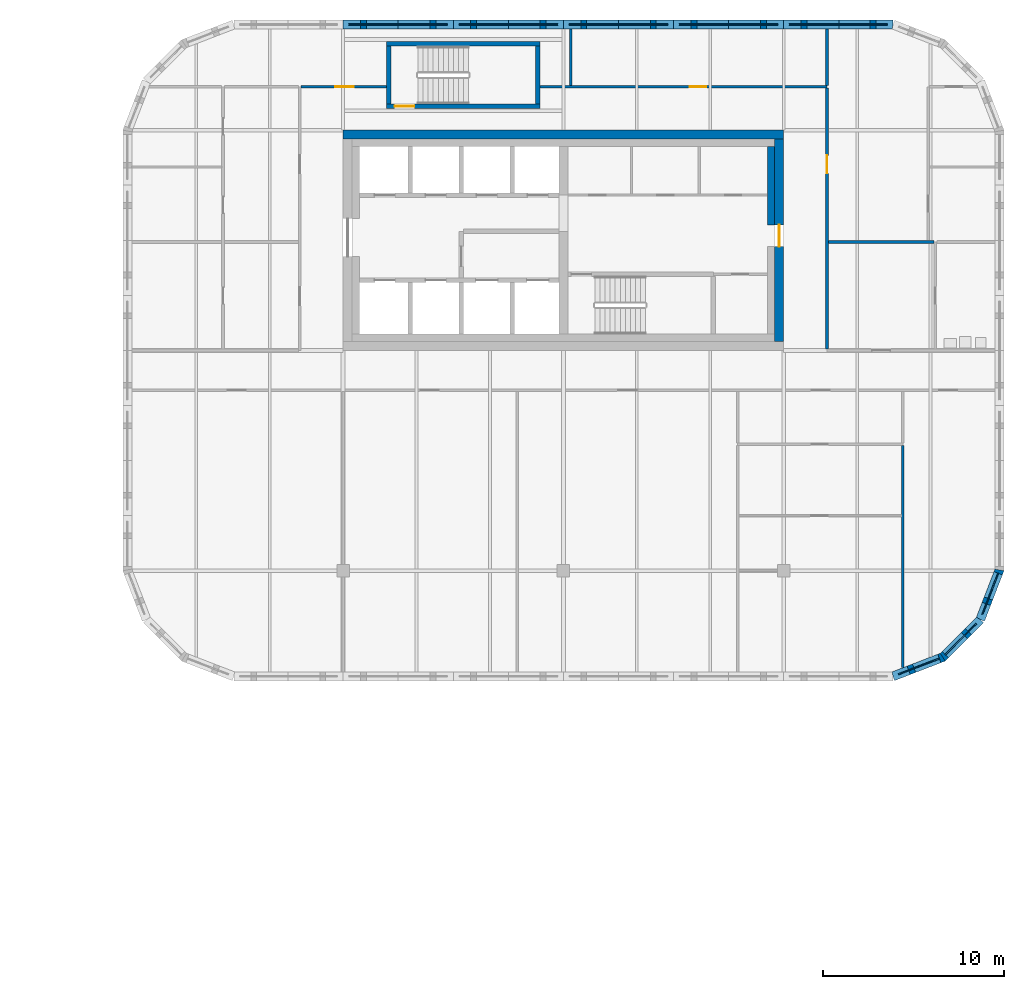
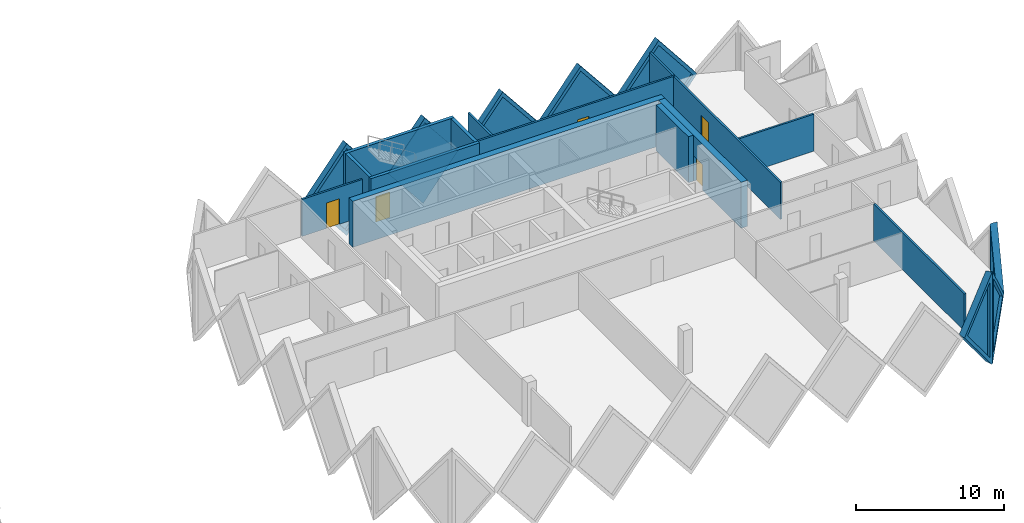
# One storey, part 14 of 19: 22 walls, 8 plates, 5 doors, 13 openings.
"""IFC4 building model written with IfcOpenShell, lengths in metres."""

from ifc_helpers import new_model, si_unit, direction, frame, frame_2d, origin, place, context, subcontext, project, spatial, polyline, rectangle, outline, extrude, faceted_brep, source, transform, mapped, material, layer, layer_set, type_object, element, fill, save


model = new_model("IFC4")

# Units and contexts
model_context = context("Model", 3, precision=1e-05, world=origin(), true_north=direction((0.0, 1.0)))
body_context = subcontext(model_context, "Body", "Model", "MODEL_VIEW")
ifc_project = project(units=[si_unit("LENGTHUNIT", "METRE"), si_unit("AREAUNIT", "SQUARE_METRE"), si_unit("VOLUMEUNIT", "CUBIC_METRE"), si_unit("PLANEANGLEUNIT", "RADIAN"), si_unit("MASSUNIT", "GRAM", prefix="KILO")], contexts=[model_context])

# Site, building, storey
site_placement = place(None, origin())
site = spatial("IfcSite", under=ifc_project, at=site_placement, CompositionType="ELEMENT")
building_placement = place(site_placement, origin())
building = spatial("IfcBuilding", under=site, at=building_placement, Name="Tessera Gate Towers", CompositionType="ELEMENT")
storey_placement = place(building_placement, frame((0.0, 0.0, 80.0)))
storey = spatial("IfcBuildingStorey", under=building, at=storey_placement, Name="L19", CompositionType="ELEMENT", Elevation=80.0)

# Wall, opening, door
ifc_material_1 = material(Name="Concrete C40/50", Category="concrete")
ifc_layer_1 = layer(ifc_material_1, 0.25)
ifc_layer_set_1 = layer_set([ifc_layer_1], Name="CORE ENCLOSURE WALL 250")
wall_type_1 = type_object("IfcWallType", Name="CORE ENCLOSURE WALL 250", PredefinedType="SOLIDWALL", material=ifc_layer_set_1)
wall_1_placement = place(storey_placement, frame((108.5, 50.125, 0.0), z_axis=(0.0, 0.0, 1.0), x_axis=(-1.0, 0.0, 0.0)))
wall_1 = element("IfcWall", 1, at=wall_1_placement, inside=storey, type_object=wall_type_1, Name="L19 ST7 enclosure wall", PredefinedType="SOLIDWALL", context=body_context, shape_type="SweptSolid", body=[
    extrude(rectangle(XDim=8.5, YDim=0.25, at=frame_2d((4.25, 0.0))), origin(), (0.0, 0.0, 1.0), 3.800048828125),
])
shared_shape_1 = source(origin(), body_context, "Body", "SweptSolid", [
    extrude(rectangle(XDim=1.10009765625, YDim=2.10009765625, at=frame_2d((0.550048828125, 1.050048828125))), frame((0.0, 0.135009765625, 0.0), z_axis=(0.0, -1.0, 0.0), x_axis=(1.0, 0.0, 0.0)), (0.0, 0.0, 1.0), 0.27001953125),
])
opening_1_placement = place(wall_1_placement, frame((6.949951171875, 0.0, 0.0)))
opening_1 = element("IfcOpeningElement", 2, at=opening_1_placement, cuts=wall_1, Name="Opening SD-ST7-1", PredefinedType="OPENING", context=body_context, shape_type="MappedRepresentation", body=[
    mapped(shared_shape_1, transform((0.0, 0.0, 0.0), scale=1.0)),
])
ifc_material_2 = material(Name="Hollow steel fire door", Category="steel")
door_type_1 = type_object("IfcDoorType", Name="CORE DOOR SD1100 1100x2100", OperationType="NOTDEFINED", PredefinedType="DOOR", material=ifc_material_2)
shared_shape_2 = source(origin(), body_context, "Body", "SweptSolid", [
    extrude(rectangle(XDim=1.10009765625, YDim=2.10009765625, at=frame_2d((0.550048828125, 1.050048828125))), frame((0.0, 0.02490234375, 0.0), z_axis=(0.0, -1.0, 0.0), x_axis=(1.0, 0.0, 0.0)), (0.0, 0.0, 1.0), 0.050048828125),
])
door_1_placement = place(opening_1_placement, origin())
door_1 = element("IfcDoor", 3, at=door_1_placement, inside=storey, type_object=door_type_1, Name="Stair door", OperationType="SINGLE_SWING_RIGHT", OverallHeight=2.10009765625, OverallWidth=1.10009765625, PredefinedType="DOOR", context=body_context, shape_type="MappedRepresentation", body=[
    mapped(shared_shape_2, transform((0.0, 0.0, 0.0), scale=1.0)),
])
fill(opening_1, door_1)

# Walls
wall_2_placement = place(storey_placement, frame((100.125, 50.25, 0.0), z_axis=(0.0, 0.0, 1.0), x_axis=(0.0, 1.0, 0.0)))
element("IfcWall", 4, at=wall_2_placement, inside=storey, type_object=wall_type_1, Name="L19 ST7 enclosure wall", PredefinedType="SOLIDWALL", context=body_context, shape_type="SweptSolid", body=[
    extrude(rectangle(XDim=3.199951171875, YDim=0.25, at=frame_2d((1.60009765625, 0.0))), origin(), (0.0, 0.0, 1.0), 3.800048828125),
])
wall_3_placement = place(storey_placement, frame((100.0, 53.574951171875, 0.0), z_axis=(0.0, 0.0, 1.0), x_axis=(1.0, 0.0, 0.0)))
element("IfcWall", 5, at=wall_3_placement, inside=storey, type_object=wall_type_1, Name="L19 ST7 enclosure wall", PredefinedType="SOLIDWALL", context=body_context, shape_type="SweptSolid", body=[
    extrude(rectangle(XDim=8.5, YDim=0.25, at=frame_2d((4.25, 0.0))), origin(), (0.0, 0.0, 1.0), 3.800048828125),
])
wall_4_placement = place(storey_placement, frame((108.375, 53.449951171875, 0.0), z_axis=(0.0, 0.0, 1.0), x_axis=(0.0, -1.0, 0.0)))
element("IfcWall", 6, at=wall_4_placement, inside=storey, type_object=wall_type_1, Name="L19 ST7 enclosure wall", PredefinedType="SOLIDWALL", context=body_context, shape_type="SweptSolid", body=[
    extrude(rectangle(XDim=3.199951171875, YDim=0.25, at=frame_2d((1.60009765625, 0.0))), origin(), (0.0, 0.0, 1.0), 3.800048828125),
])
ifc_material_3 = material(Name="Concrete C50/60", Category="concrete")
ifc_layer_2 = layer(ifc_material_3, 0.5)
ifc_layer_set_2 = layer_set([ifc_layer_2], Name="CORE SHEAR WALL 500 C50/60")
wall_type_2 = type_object("IfcWallType", Name="CORE SHEAR WALL 500 C50/60", PredefinedType="SHEAR", material=ifc_layer_set_2)
wall_5_placement = place(storey_placement, frame((97.60009765625, 48.550048828125, 0.0), z_axis=(0.0, 0.0, 1.0), x_axis=(1.0, 0.0, 0.0)))
element("IfcWall", 7, at=wall_5_placement, inside=storey, type_object=wall_type_2, Name="Core wall N L19", PredefinedType="SHEAR", context=body_context, shape_type="SweptSolid", body=[
    extrude(rectangle(XDim=24.39990234375, YDim=0.5, at=frame_2d((12.199951171875, 0.0))), origin(), (0.0, 0.0, 1.0), 3.800048828125),
])

# Wall, opening, door
wall_6_placement = place(storey_placement, frame((121.75, 48.300048828125, 0.0), z_axis=(0.0, 0.0, 1.0), x_axis=(0.0, -1.0, 0.0)))
wall_6 = element("IfcWall", 8, at=wall_6_placement, inside=storey, type_object=wall_type_2, Name="Core wall E L19", PredefinedType="SHEAR", context=body_context, shape_type="SweptSolid", body=[
    extrude(rectangle(XDim=11.199951171875, YDim=0.5, at=frame_2d((5.60009765625, 0.0))), origin(), (0.0, 0.0, 1.0), 3.800048828125),
])
shared_shape_3 = source(origin(), body_context, "Body", "SweptSolid", [
    extrude(rectangle(XDim=1.199951171875, YDim=2.10009765625, at=frame_2d((0.60009765625, 1.050048828125))), frame((0.0, 0.260009765625, 0.0), z_axis=(0.0, -1.0, 0.0), x_axis=(1.0, 0.0, 0.0)), (0.0, 0.0, 1.0), 0.52001953125),
])
opening_2_placement = place(wall_6_placement, frame((4.75, 0.0, 0.0)))
opening_2 = element("IfcOpeningElement", 9, at=opening_2_placement, cuts=wall_6, Name="Opening ED-T2-11-02", PredefinedType="OPENING", context=body_context, shape_type="MappedRepresentation", body=[
    mapped(shared_shape_3, transform((0.0, 0.0, 0.0), scale=1.0)),
])
ifc_material_4 = material(Name="Hollow steel fire door", Category="steel")
door_type_2 = type_object("IfcDoorType", Name="CORE DOOR ED 1200x2100", OperationType="NOTDEFINED", PredefinedType="DOOR", material=ifc_material_4)
shared_shape_4 = source(origin(), body_context, "Body", "SweptSolid", [
    extrude(rectangle(XDim=1.199951171875, YDim=2.10009765625, at=frame_2d((0.60009765625, 1.050048828125))), frame((0.0, 0.02490234375, 0.0), z_axis=(0.0, -1.0, 0.0), x_axis=(1.0, 0.0, 0.0)), (0.0, 0.0, 1.0), 0.050048828125),
])
door_2_placement = place(opening_2_placement, origin())
door_2 = element("IfcDoor", 10, at=door_2_placement, inside=storey, type_object=door_type_2, Name="Core exit door", OperationType="SINGLE_SWING_LEFT", OverallHeight=2.10009765625, OverallWidth=1.199951171875, PredefinedType="DOOR", context=body_context, shape_type="MappedRepresentation", body=[
    mapped(shared_shape_4, transform((0.0, 0.0, 0.0), scale=1.0)),
])
fill(opening_2, door_2)

# Wall
ifc_material_5 = material(Name="Concrete C50/60", Category="concrete")
ifc_layer_3 = layer(ifc_material_5, 0.39990234375)
ifc_layer_set_3 = layer_set([ifc_layer_3], Name="CORE WALL THICKENING 400")
wall_type_3 = type_object("IfcWallType", Name="CORE WALL THICKENING 400", PredefinedType="SOLIDWALL", material=ifc_layer_set_3)
wall_7_placement = place(storey_placement, frame((121.300048828125, 43.550048828125, 0.0), z_axis=(0.0, 0.0, 1.0), x_axis=(0.0, 1.0, 0.0)))
element("IfcWall", 11, at=wall_7_placement, inside=storey, type_object=wall_type_3, Name="Core wall thickening E L19", PredefinedType="SOLIDWALL", context=body_context, shape_type="SweptSolid", body=[
    extrude(rectangle(XDim=4.349853515625, YDim=0.39990234375, at=frame_2d((2.1748046875, 0.0))), origin(), (0.0, 0.0, 1.0), 3.800048828125),
])

# Wall, opening, door
ifc_material_6 = material(Name="Gypsum board on steel studs, mineral wool", Category="steel")
ifc_layer_4 = layer(ifc_material_6, 0.14990234375)
ifc_layer_set_4 = layer_set([ifc_layer_4], Name="CORRIDOR WALL 150")
wall_type_4 = type_object("IfcWallType", Name="CORRIDOR WALL 150", PredefinedType="PARTITIONING", material=ifc_layer_set_4)
wall_8_placement = place(storey_placement, frame((124.39990234375, 51.1240234375, 0.0), z_axis=(0.0, 0.0, 1.0), x_axis=(0.0, -1.0, 0.0)))
wall_8 = element("IfcWall", 12, at=wall_8_placement, inside=storey, type_object=wall_type_4, Name="T2-L19-PW-016", PredefinedType="PARTITIONING", context=body_context, shape_type="SweptSolid", body=[
    extrude(rectangle(XDim=14.447998046875, YDim=0.14990234375, at=frame_2d((7.22412109375, 0.0))), origin(), (0.0, 0.0, 1.0), 3.06689453125),
])
shared_shape_5 = source(origin(), body_context, "Body", "SweptSolid", [
    extrude(rectangle(XDim=1.0, YDim=2.10009765625, at=frame_2d((0.5, 1.050048828125))), frame((0.0, 0.0849609375, 0.0), z_axis=(0.0, -1.0, 0.0), x_axis=(1.0, 0.0, 0.0)), (0.0, 0.0, 1.0), 0.169921875),
])
opening_3_placement = place(wall_8_placement, frame((3.72412109375, 0.0, 0.0)))
opening_3 = element("IfcOpeningElement", 13, at=opening_3_placement, cuts=wall_8, Name="Opening D2100FD60-B08-03", PredefinedType="OPENING", context=body_context, shape_type="MappedRepresentation", body=[
    mapped(shared_shape_5, transform((0.0, 0.0, 0.0), scale=1.0)),
])
ifc_material_7 = material(Name="Timber door leaf in steel frame", Category="steel")
door_type_3 = type_object("IfcDoorType", Name="TENANCY ENTRANCE DOOR 1000 FD60", OperationType="NOTDEFINED", PredefinedType="DOOR", material=ifc_material_7)
shared_shape_6 = source(origin(), body_context, "Body", "SweptSolid", [
    extrude(rectangle(XDim=1.0, YDim=2.10009765625, at=frame_2d((0.5, 1.050048828125))), frame((0.0, 0.02490234375, 0.0), z_axis=(0.0, -1.0, 0.0), x_axis=(1.0, 0.0, 0.0)), (0.0, 0.0, 1.0), 0.050048828125),
])
door_3_placement = place(opening_3_placement, origin())
door_3 = element("IfcDoor", 14, at=door_3_placement, inside=storey, type_object=door_type_3, Name="T2-L19-PD-009", OperationType="SINGLE_SWING_RIGHT", OverallHeight=2.10009765625, OverallWidth=1.0, PredefinedType="DOOR", context=body_context, shape_type="MappedRepresentation", body=[
    mapped(shared_shape_6, transform((0.0, 0.0, 0.0), scale=1.0)),
])
fill(opening_3, door_3)

wall_9_placement = place(storey_placement, frame((95.27587890625, 51.199951171875, 0.0), z_axis=(0.0, 0.0, 1.0), x_axis=(1.0, 0.0, 0.0)))
wall_9 = element("IfcWall", 15, at=wall_9_placement, inside=storey, type_object=wall_type_4, Name="T2-L19-PW-027", PredefinedType="PARTITIONING", context=body_context, shape_type="SweptSolid", body=[
    extrude(rectangle(XDim=4.72412109375, YDim=0.14990234375, at=frame_2d((2.362060546875, 0.0))), origin(), (0.0, 0.0, 1.0), 3.06689453125),
])
opening_4_placement = place(wall_9_placement, frame((1.89990234375, 0.0, 0.0)))
opening_4 = element("IfcOpeningElement", 16, at=opening_4_placement, cuts=wall_9, Name="Opening D2100FD60-B08-02", PredefinedType="OPENING", context=body_context, shape_type="MappedRepresentation", body=[
    mapped(shared_shape_5, transform((0.0, 0.0, 0.0), scale=1.0)),
])
door_4_placement = place(opening_4_placement, origin())
door_4 = element("IfcDoor", 17, at=door_4_placement, inside=storey, type_object=door_type_3, Name="T2-L19-PD-007", OperationType="SINGLE_SWING_LEFT", OverallHeight=2.10009765625, OverallWidth=1.0, PredefinedType="DOOR", context=body_context, shape_type="MappedRepresentation", body=[
    mapped(shared_shape_6, transform((0.0, 0.0, 0.0), scale=1.0)),
])
fill(opening_4, door_4)

wall_10_placement = place(storey_placement, frame((108.5, 51.199951171875, 0.0), z_axis=(0.0, 0.0, 1.0), x_axis=(1.0, 0.0, 0.0)))
wall_10 = element("IfcWall", 18, at=wall_10_placement, inside=storey, type_object=wall_type_4, Name="T2-L19-PW-028", PredefinedType="PARTITIONING", context=body_context, shape_type="SweptSolid", body=[
    extrude(rectangle(XDim=15.89990234375, YDim=0.14990234375, at=frame_2d((7.949951171875, 0.0))), origin(), (0.0, 0.0, 1.0), 3.06689453125),
])
shared_shape_7 = source(origin(), body_context, "Body", "SweptSolid", [
    extrude(rectangle(XDim=0.89990234375, YDim=2.10009765625, at=frame_2d((0.449951171875, 1.050048828125))), frame((0.0, 0.0849609375, 0.0), z_axis=(0.0, -1.0, 0.0), x_axis=(1.0, 0.0, 0.0)), (0.0, 0.0, 1.0), 0.169921875),
])
opening_5_placement = place(wall_10_placement, frame((8.300048828125, 0.0, 0.0)))
opening_5 = element("IfcOpeningElement", 19, at=opening_5_placement, cuts=wall_10, Name="Opening D890FD60-B08-01", PredefinedType="OPENING", context=body_context, shape_type="MappedRepresentation", body=[
    mapped(shared_shape_7, transform((0.0, 0.0, 0.0), scale=1.0)),
])
ifc_material_8 = material(Name="Timber door leaf in steel frame", Category="steel")
door_type_4 = type_object("IfcDoorType", Name="CORRIDOR DOOR 900 FD60", OperationType="NOTDEFINED", PredefinedType="DOOR", material=ifc_material_8)
shared_shape_8 = source(origin(), body_context, "Body", "SweptSolid", [
    extrude(rectangle(XDim=0.89990234375, YDim=2.10009765625, at=frame_2d((0.449951171875, 1.050048828125))), frame((0.0, 0.02490234375, 0.0), z_axis=(0.0, -1.0, 0.0), x_axis=(1.0, 0.0, 0.0)), (0.0, 0.0, 1.0), 0.050048828125),
])
door_5_placement = place(opening_5_placement, origin())
door_5 = element("IfcDoor", 20, at=door_5_placement, inside=storey, type_object=door_type_4, Name="T2-L19-PD-019", OperationType="SINGLE_SWING_LEFT", OverallHeight=2.10009765625, OverallWidth=0.89990234375, PredefinedType="DOOR", context=body_context, shape_type="MappedRepresentation", body=[
    mapped(shared_shape_8, transform((0.0, 0.0, 0.0), scale=1.0)),
])
fill(opening_5, door_5)

# Walls
ifc_material_9 = material(Name="Gypsum board on steel studs, mineral wool", Category="steel")
ifc_layer_5 = layer(ifc_material_9, 0.14990234375)
ifc_layer_set_5 = layer_set([ifc_layer_5], Name="TENANCY WALL 150")
wall_type_5 = type_object("IfcWallType", Name="TENANCY WALL 150", PredefinedType="PARTITIONING", material=ifc_layer_set_5)
wall_11_placement = place(storey_placement, frame((128.60009765625, 19.02880859375, 0.0), z_axis=(0.0, 0.0, 1.0), x_axis=(0.0, 1.0, 0.0)))
element("IfcWall", 21, at=wall_11_placement, inside=storey, type_object=wall_type_5, Name="T2-L19-PW-004", PredefinedType="PARTITIONING", context=body_context, shape_type="SweptSolid", body=[
    extrude(rectangle(XDim=12.295166015625, YDim=0.14990234375, at=frame_2d((6.1474609375, 0.0))), origin(), (0.0, 0.0, 1.0), 3.06689453125),
])
wall_12_placement = place(storey_placement, frame((124.47607421875, 42.60009765625, 0.0), z_axis=(0.0, 0.0, 1.0), x_axis=(1.0, 0.0, 0.0)))
element("IfcWall", 22, at=wall_12_placement, inside=storey, type_object=wall_type_5, Name="T2-L19-PW-020", PredefinedType="PARTITIONING", context=body_context, shape_type="SweptSolid", body=[
    extrude(rectangle(XDim=5.847900390625, YDim=0.14990234375, at=frame_2d((2.923828125, 0.0))), origin(), (0.0, 0.0, 1.0), 3.06689453125),
])
for number, where, z_axis, x_axis, name in (
    (23, (110.199951171875, 51.27587890625, 0.0), (0.0, 0.0, 1.0), (0.0, 1.0, 0.0), "T2-L19-PW-030"),
    (24, (124.39990234375, 51.27587890625, 0.0), (0.0, 0.0, 1.0), (0.0, 1.0, 0.0), "T2-L19-PW-031"),
):
    element("IfcWall", number, at=place(storey_placement, frame(where, z_axis=z_axis, x_axis=x_axis)), inside=storey, type_object=wall_type_5, Name=name, PredefinedType="PARTITIONING", context=body_context, shape_type="SweptSolid", body=[
        extrude(rectangle(XDim=3.1240234375, YDim=0.14990234375, at=frame_2d((1.56201171875, 0.0))), origin(), (0.0, 0.0, 1.0), 3.06689453125),
    ])

# Wall, opening, plate
ifc_material_10 = material(Name="Precast concrete C60/75 white", Category="concrete")
ifc_layer_6 = layer(ifc_material_10, 0.5)
ifc_layer_set_6 = layer_set([ifc_layer_6], Name="TS1 tessera")
wall_type_6 = type_object("IfcWallType", Name="TS1 tessera", PredefinedType="SOLIDWALL", material=ifc_layer_set_6)
shared_shape_9 = source(origin(), body_context, "Body", "Brep", [
    faceted_brep([(3.00341796875, -0.25, 0.0), (6.053466796875, -0.25, 3.800048828125), (3.00341796875, -0.25, 7.60009765625), (0.0, -0.25, 3.800048828125), (0.046630859375, 0.25, 3.85888671875), (3.00341796875, 0.25, 7.60009765625), (6.053466796875, 0.25, 3.800048828125), (3.00341796875, 0.25, 0.0), (0.046630859375, 0.25, 3.7412109375), (0.0, 0.0, 3.800048828125)], [[[0, 1, 2, 3]], [[4, 5, 6, 7, 8]], [[7, 6, 1, 0]], [[6, 5, 2, 1]], [[5, 4, 9, 3, 2]], [[8, 7, 0, 3, 9]], [[8, 9, 4]]]),
])
wall_13_placement = place(storey_placement, frame((128.053466796875, 54.64990234375, -3.800048828125), z_axis=(0.0, 0.0, 1.0), x_axis=(-1.0, 0.0, 0.0)))
wall_13 = element("IfcWall", 25, at=wall_13_placement, inside=storey, type_object=wall_type_6, Name="Precast tessera T2 TS1-0225", PredefinedType="SOLIDWALL", context=body_context, shape_type="MappedRepresentation", body=[
    mapped(shared_shape_9, transform((0.0, 0.0, 0.0), scale=1.0)),
])
shared_shape_10 = source(origin(), body_context, "Body", "SweptSolid", [
    extrude(outline(polyline([(3.0048828125, 0.4013671875), (5.73291015625, 3.800048828125), (3.0048828125, 7.19873046875), (0.318603515625, 3.800048828125), (3.0048828125, 0.4013671875)])), frame((0.0, 0.260009765625, 0.0), z_axis=(0.0, -1.0, 0.0), x_axis=(1.0, 0.0, 0.0)), (0.0, 0.0, 1.0), 0.52001953125),
])
opening_6_placement = place(wall_13_placement, origin())
opening_6 = element("IfcOpeningElement", 26, at=opening_6_placement, cuts=wall_13, Name="Opening T2-PL2-0425", PredefinedType="OPENING", context=body_context, shape_type="MappedRepresentation", body=[
    mapped(shared_shape_10, transform((0.0, 0.0, 0.0), scale=1.0)),
])
ifc_material_11 = material(Name="Low-e laminated glass", Category="glass")
ifc_layer_7 = layer(ifc_material_11, 0.06005859375)
ifc_layer_set_7 = layer_set([ifc_layer_7], Name="PL2 rhombic pane")
plate_type = type_object("IfcPlateType", Name="PL2 rhombic pane", PredefinedType="SHEET", material=ifc_layer_set_7)
shared_shape_11 = source(origin(), body_context, "Body", "SweptSolid", [
    extrude(outline(polyline([(3.0048828125, 0.4013671875), (5.73291015625, 3.800048828125), (3.0048828125, 7.19873046875), (0.318603515625, 3.800048828125), (3.0048828125, 0.4013671875)])), frame((0.0, 0.030029296875, 0.0), z_axis=(0.0, -1.0, 0.0), x_axis=(1.0, 0.0, 0.0)), (0.0, 0.0, 1.0), 0.06005859375),
])
plate_1_placement = place(opening_6_placement, origin())
plate_1 = element("IfcPlate", 27, at=plate_1_placement, inside=storey, type_object=plate_type, Name="Glass pane T2 PL2-0425", PredefinedType="SHEET", context=body_context, shape_type="MappedRepresentation", body=[
    mapped(shared_shape_11, transform((0.0, 0.0, 0.0), scale=1.0)),
])
fill(opening_6, plate_1)

shared_shape_12 = source(origin(), body_context, "Body", "Brep", [
    faceted_brep([(3.050048828125, -0.25, 0.0), (6.099853515625, -0.25, 3.7998046875), (6.099853515625, -0.25, 3.80029296875), (3.050048828125, -0.25, 7.60009765625), (0.0, -0.25, 3.800048828125), (0.0, 0.25, 3.800048828125), (3.050048828125, 0.25, 7.60009765625), (6.099853515625, 0.25, 3.80029296875), (6.099853515625, 0.25, 3.7998046875), (3.050048828125, 0.25, 0.0)], [[[0, 1, 2, 3, 4]], [[5, 6, 7, 8, 9]], [[9, 8, 1, 0]], [[7, 6, 3, 2]], [[6, 5, 4, 3]], [[5, 9, 0, 4]], [[1, 8, 7, 2]]]),
])
wall_14_placement = place(storey_placement, frame((115.89990234375, 54.64990234375, -3.800048828125), z_axis=(0.0, 0.0, 1.0), x_axis=(-1.0, 0.0, 0.0)))
wall_14 = element("IfcWall", 28, at=wall_14_placement, inside=storey, type_object=wall_type_6, Name="Precast tessera T2 TS1-0227", PredefinedType="SOLIDWALL", context=body_context, shape_type="MappedRepresentation", body=[
    mapped(shared_shape_12, transform((0.0, 0.0, 0.0), scale=1.0)),
])
shared_shape_13 = source(origin(), body_context, "Body", "SweptSolid", [
    extrude(outline(polyline([(3.050048828125, 0.3994140625), (5.779541015625, 3.800048828125), (3.050048828125, 7.20068359375), (0.320556640625, 3.800048828125), (3.050048828125, 0.3994140625)])), frame((0.0, 0.260009765625, 0.0), z_axis=(0.0, -1.0, 0.0), x_axis=(1.0, 0.0, 0.0)), (0.0, 0.0, 1.0), 0.52001953125),
])
opening_7_placement = place(wall_14_placement, origin())
opening_7 = element("IfcOpeningElement", 29, at=opening_7_placement, cuts=wall_14, Name="Opening T2-PL2-0427", PredefinedType="OPENING", context=body_context, shape_type="MappedRepresentation", body=[
    mapped(shared_shape_13, transform((0.0, 0.0, 0.0), scale=1.0)),
])
shared_shape_14 = source(origin(), body_context, "Body", "SweptSolid", [
    extrude(outline(polyline([(3.050048828125, 0.3994140625), (5.779541015625, 3.800048828125), (3.050048828125, 7.20068359375), (0.320556640625, 3.800048828125), (3.050048828125, 0.3994140625)])), frame((0.0, 0.030029296875, 0.0), z_axis=(0.0, -1.0, 0.0), x_axis=(1.0, 0.0, 0.0)), (0.0, 0.0, 1.0), 0.06005859375),
])
plate_2_placement = place(opening_7_placement, origin())
plate_2 = element("IfcPlate", 30, at=plate_2_placement, inside=storey, type_object=plate_type, Name="Glass pane T2 PL2-0427", PredefinedType="SHEET", context=body_context, shape_type="MappedRepresentation", body=[
    mapped(shared_shape_14, transform((0.0, 0.0, 0.0), scale=1.0)),
])
fill(opening_7, plate_2)

wall_15_placement = place(storey_placement, frame((103.699951171875, 54.64990234375, -3.800048828125), z_axis=(0.0, 0.0, 1.0), x_axis=(-1.0, 0.0, 0.0)))
wall_15 = element("IfcWall", 31, at=wall_15_placement, inside=storey, type_object=wall_type_6, Name="Precast tessera T2 TS1-0229", PredefinedType="SOLIDWALL", context=body_context, shape_type="MappedRepresentation", body=[
    mapped(shared_shape_12, transform((0.0, 0.0, 0.0), scale=1.0)),
])
opening_8_placement = place(wall_15_placement, origin())
opening_8 = element("IfcOpeningElement", 32, at=opening_8_placement, cuts=wall_15, Name="Opening T2-PL2-0429", PredefinedType="OPENING", context=body_context, shape_type="MappedRepresentation", body=[
    mapped(shared_shape_13, transform((0.0, 0.0, 0.0), scale=1.0)),
])
plate_3_placement = place(opening_8_placement, origin())
plate_3 = element("IfcPlate", 33, at=plate_3_placement, inside=storey, type_object=plate_type, Name="Glass pane T2 PL2-0429", PredefinedType="SHEET", context=body_context, shape_type="MappedRepresentation", body=[
    mapped(shared_shape_14, transform((0.0, 0.0, 0.0), scale=1.0)),
])
fill(opening_8, plate_3)

shared_shape_15 = source(origin(), body_context, "Body", "SweptSolid", [
    extrude(outline(polyline([(3.050048828125, 0.0), (6.10009765625, 3.800048828125), (3.050048828125, 7.60009765625), (0.0, 3.800048828125), (3.050048828125, 0.0)])), frame((0.0, 0.25, 0.0), z_axis=(0.0, -1.0, 0.0), x_axis=(1.0, 0.0, 0.0)), (0.0, 0.0, 1.0), 0.5),
])
wall_16_placement = place(storey_placement, frame((122.0, 54.64990234375, -3.800048828125), z_axis=(0.0, 0.0, 1.0), x_axis=(-1.0, 0.0, 0.0)))
wall_16 = element("IfcWall", 34, at=wall_16_placement, inside=storey, type_object=wall_type_6, Name="Precast tessera T2 TS1-0226", PredefinedType="SOLIDWALL", context=body_context, shape_type="MappedRepresentation", body=[
    mapped(shared_shape_15, transform((0.0, 0.0, 0.0), scale=1.0)),
])
opening_9_placement = place(wall_16_placement, origin())
opening_9 = element("IfcOpeningElement", 35, at=opening_9_placement, cuts=wall_16, Name="Opening T2-PL2-0426", PredefinedType="OPENING", context=body_context, shape_type="MappedRepresentation", body=[
    mapped(shared_shape_13, transform((0.0, 0.0, 0.0), scale=1.0)),
])
plate_4_placement = place(opening_9_placement, origin())
plate_4 = element("IfcPlate", 36, at=plate_4_placement, inside=storey, type_object=plate_type, Name="Glass pane T2 PL2-0426", PredefinedType="SHEET", context=body_context, shape_type="MappedRepresentation", body=[
    mapped(shared_shape_14, transform((0.0, 0.0, 0.0), scale=1.0)),
])
fill(opening_9, plate_4)

wall_17_placement = place(storey_placement, frame((109.800048828125, 54.64990234375, -3.800048828125), z_axis=(0.0, 0.0, 1.0), x_axis=(-1.0, 0.0, 0.0)))
wall_17 = element("IfcWall", 37, at=wall_17_placement, inside=storey, type_object=wall_type_6, Name="Precast tessera T2 TS1-0228", PredefinedType="SOLIDWALL", context=body_context, shape_type="MappedRepresentation", body=[
    mapped(shared_shape_15, transform((0.0, 0.0, 0.0), scale=1.0)),
])
opening_10_placement = place(wall_17_placement, origin())
opening_10 = element("IfcOpeningElement", 38, at=opening_10_placement, cuts=wall_17, Name="Opening T2-PL2-0428", PredefinedType="OPENING", context=body_context, shape_type="MappedRepresentation", body=[
    mapped(shared_shape_13, transform((0.0, 0.0, 0.0), scale=1.0)),
])
plate_5_placement = place(opening_10_placement, origin())
plate_5 = element("IfcPlate", 39, at=plate_5_placement, inside=storey, type_object=plate_type, Name="Glass pane T2 PL2-0428", PredefinedType="SHEET", context=body_context, shape_type="MappedRepresentation", body=[
    mapped(shared_shape_14, transform((0.0, 0.0, 0.0), scale=1.0)),
])
fill(opening_10, plate_5)

ifc_material_12 = material(Name="Precast concrete C60/75 white", Category="concrete")
ifc_layer_8 = layer(ifc_material_12, 0.5)
ifc_layer_set_8 = layer_set([ifc_layer_8], Name="TS3 corner tessera")
wall_type_7 = type_object("IfcWallType", Name="TS3 corner tessera", PredefinedType="SOLIDWALL", material=ifc_layer_set_8)
shared_shape_16 = source(origin(), body_context, "Body", "Brep", [
    faceted_brep([(2.950439453125, -0.25, 0.0), (3.00341796875, -0.25, 0.068359375), (3.00341796875, -0.25, 7.53173828125), (2.950439453125, -0.25, 7.60009765625), (0.0, -0.25, 3.800048828125), (0.046630859375, 0.25, 3.860107421875), (2.897705078125, 0.25, 7.531982421875), (2.897705078125, 0.25, 0.068115234375), (0.046630859375, 0.25, 3.739990234375), (2.950439453125, 0.00048828125, 0.0), (2.950439453125, 0.00048828125, 7.60009765625), (0.0, 0.0, 3.800048828125)], [[[0, 1, 2, 3, 4]], [[5, 6, 7, 8]], [[1, 0, 9]], [[10, 3, 2]], [[6, 5, 11, 4, 3, 10]], [[8, 7, 9, 0, 4, 11]], [[8, 11, 5]], [[1, 9, 7, 6, 10, 2]]]),
])
wall_18_placement = place(storey_placement, frame((128.053466796875, 18.550048828125, -3.800048828125), z_axis=(0.0, 0.0, 1.0), x_axis=(0.933007896601, 0.359855894603, 0.0)))
wall_18 = element("IfcWall", 40, at=wall_18_placement, inside=storey, type_object=wall_type_7, Name="Precast corner tessera T2 TS3-0273", PredefinedType="SOLIDWALL", context=body_context, shape_type="MappedRepresentation", body=[
    mapped(shared_shape_16, transform((0.0, 0.0, 0.0), scale=1.0)),
])
shared_shape_17 = source(origin(), body_context, "Body", "SweptSolid", [
    extrude(outline(polyline([(2.75048828125, 6.934814453125), (0.31640625, 3.800048828125), (2.75048828125, 0.665283203125), (2.75048828125, 6.934814453125)])), frame((0.0, 0.260009765625, 0.0), z_axis=(0.0, -1.0, 0.0), x_axis=(1.0, 0.0, 0.0)), (0.0, 0.0, 1.0), 0.52001953125),
])
opening_11_placement = place(wall_18_placement, origin())
opening_11 = element("IfcOpeningElement", 41, at=opening_11_placement, cuts=wall_18, Name="Opening T2-PL2-0414", PredefinedType="OPENING", context=body_context, shape_type="MappedRepresentation", body=[
    mapped(shared_shape_17, transform((0.0, 0.0, 0.0), scale=1.0)),
])
shared_shape_18 = source(origin(), body_context, "Body", "SweptSolid", [
    extrude(outline(polyline([(2.75048828125, 6.934814453125), (0.31640625, 3.800048828125), (2.75048828125, 0.665283203125), (2.75048828125, 6.934814453125)])), frame((0.0, 0.030029296875, 0.0), z_axis=(0.0, -1.0, 0.0), x_axis=(1.0, 0.0, 0.0)), (0.0, 0.0, 1.0), 0.06005859375),
])
plate_6_placement = place(opening_11_placement, origin())
plate_6 = element("IfcPlate", 42, at=plate_6_placement, inside=storey, type_object=plate_type, Name="Glass pane T2 PL2-0414", PredefinedType="SHEET", context=body_context, shape_type="MappedRepresentation", body=[
    mapped(shared_shape_18, transform((0.0, 0.0, 0.0), scale=1.0)),
])
fill(opening_11, plate_6)

shared_shape_19 = source(origin(), body_context, "Body", "Brep", [
    faceted_brep([(2.950439453125, -0.25, 0.0), (2.9970703125, -0.25, 0.05908203125), (2.9970703125, -0.25, 7.541015625), (2.950439453125, -0.25, 7.60009765625), (0.0, -0.25, 3.800048828125), (0.052978515625, 0.25, 3.8681640625), (2.904052734375, 0.25, 7.540283203125), (2.904052734375, 0.25, 0.059814453125), (0.052978515625, 0.25, 3.73193359375), (2.950439453125, 0.00048828125, 0.0), (2.950439453125, 0.00048828125, 7.60009765625), (0.0, 0.0, 3.800048828125)], [[[0, 1, 2, 3, 4]], [[5, 6, 7, 8]], [[1, 0, 9]], [[10, 3, 2]], [[6, 5, 11, 4, 3, 10]], [[8, 7, 9, 0, 4, 11]], [[8, 11, 5]], [[1, 9, 7, 6, 10, 2]]]),
])
wall_19_placement = place(storey_placement, frame((132.88818359375, 21.69384765625, -3.800048828125), z_axis=(0.0, 0.0, 1.0), x_axis=(0.359901446078, 0.932990326376, 0.0)))
wall_19 = element("IfcWall", 43, at=wall_19_placement, inside=storey, type_object=wall_type_7, Name="Precast corner tessera T2 TS3-0275", PredefinedType="SOLIDWALL", context=body_context, shape_type="MappedRepresentation", body=[
    mapped(shared_shape_19, transform((0.0, 0.0, 0.0), scale=1.0)),
])
opening_12_placement = place(wall_19_placement, origin())
opening_12 = element("IfcOpeningElement", 44, at=opening_12_placement, cuts=wall_19, Name="Opening T2-PL2-0416", PredefinedType="OPENING", context=body_context, shape_type="MappedRepresentation", body=[
    mapped(shared_shape_17, transform((0.0, 0.0, 0.0), scale=1.0)),
])
plate_7_placement = place(opening_12_placement, origin())
plate_7 = element("IfcPlate", 45, at=plate_7_placement, inside=storey, type_object=plate_type, Name="Glass pane T2 PL2-0416", PredefinedType="SHEET", context=body_context, shape_type="MappedRepresentation", body=[
    mapped(shared_shape_18, transform((0.0, 0.0, 0.0), scale=1.0)),
])
fill(opening_12, plate_7)

shared_shape_20 = source(origin(), body_context, "Body", "Brep", [
    faceted_brep([(0.052978515625, -0.25, 0.0), (2.9970703125, -0.25, 3.800048828125), (0.052978515625, -0.25, 7.60009765625), (0.0, -0.25, 7.531982421875), (0.0, -0.25, 0.068115234375), (0.10595703125, 0.25, 7.53173828125), (2.944091796875, 0.25, 3.8681640625), (2.944091796875, 0.25, 3.73193359375), (0.10595703125, 0.25, 0.068359375), (2.9970703125, 0.000244140625, 3.800048828125), (0.052978515625, 0.0, 0.0), (0.052978515625, 0.0, 7.60009765625)], [[[0, 1, 2, 3, 4]], [[5, 6, 7, 8]], [[8, 7, 9, 1, 0, 10]], [[6, 5, 11, 2, 1, 9]], [[3, 2, 11]], [[10, 0, 4]], [[8, 10, 4, 3, 11, 5]], [[9, 7, 6]]]),
])
wall_20_placement = place(storey_placement, frame((130.768798828125, 19.574462890625, -3.800048828125), z_axis=(0.0, 0.0, 1.0), x_axis=(0.707106781187, 0.707106781187, 0.0)))
wall_20 = element("IfcWall", 46, at=wall_20_placement, inside=storey, type_object=wall_type_7, Name="Precast corner tessera T2 TS3-0274", PredefinedType="SOLIDWALL", context=body_context, shape_type="MappedRepresentation", body=[
    mapped(shared_shape_20, transform((0.0, 0.0, 0.0), scale=1.0)),
])
shared_shape_21 = source(origin(), body_context, "Body", "SweptSolid", [
    extrude(outline(polyline([(0.2529296875, 0.666259765625), (2.680908203125, 3.800048828125), (0.2529296875, 6.933837890625), (0.2529296875, 0.666259765625)])), frame((0.0, 0.260009765625, 0.0), z_axis=(0.0, -1.0, 0.0), x_axis=(1.0, 0.0, 0.0)), (0.0, 0.0, 1.0), 0.52001953125),
])
opening_13_placement = place(wall_20_placement, origin())
opening_13 = element("IfcOpeningElement", 47, at=opening_13_placement, cuts=wall_20, Name="Opening T2-PL2-0415", PredefinedType="OPENING", context=body_context, shape_type="MappedRepresentation", body=[
    mapped(shared_shape_21, transform((0.0, 0.0, 0.0), scale=1.0)),
])
shared_shape_22 = source(origin(), body_context, "Body", "SweptSolid", [
    extrude(outline(polyline([(0.2529296875, 0.666259765625), (2.680908203125, 3.800048828125), (0.2529296875, 6.933837890625), (0.2529296875, 0.666259765625)])), frame((0.0, 0.030029296875, 0.0), z_axis=(0.0, -1.0, 0.0), x_axis=(1.0, 0.0, 0.0)), (0.0, 0.0, 1.0), 0.06005859375),
])
plate_8_placement = place(opening_13_placement, origin())
plate_8 = element("IfcPlate", 48, at=plate_8_placement, inside=storey, type_object=plate_type, Name="Glass pane T2 PL2-0415", PredefinedType="SHEET", context=body_context, shape_type="MappedRepresentation", body=[
    mapped(shared_shape_22, transform((0.0, 0.0, 0.0), scale=1.0)),
])
fill(opening_13, plate_8)

save(model, "model.ifc")
